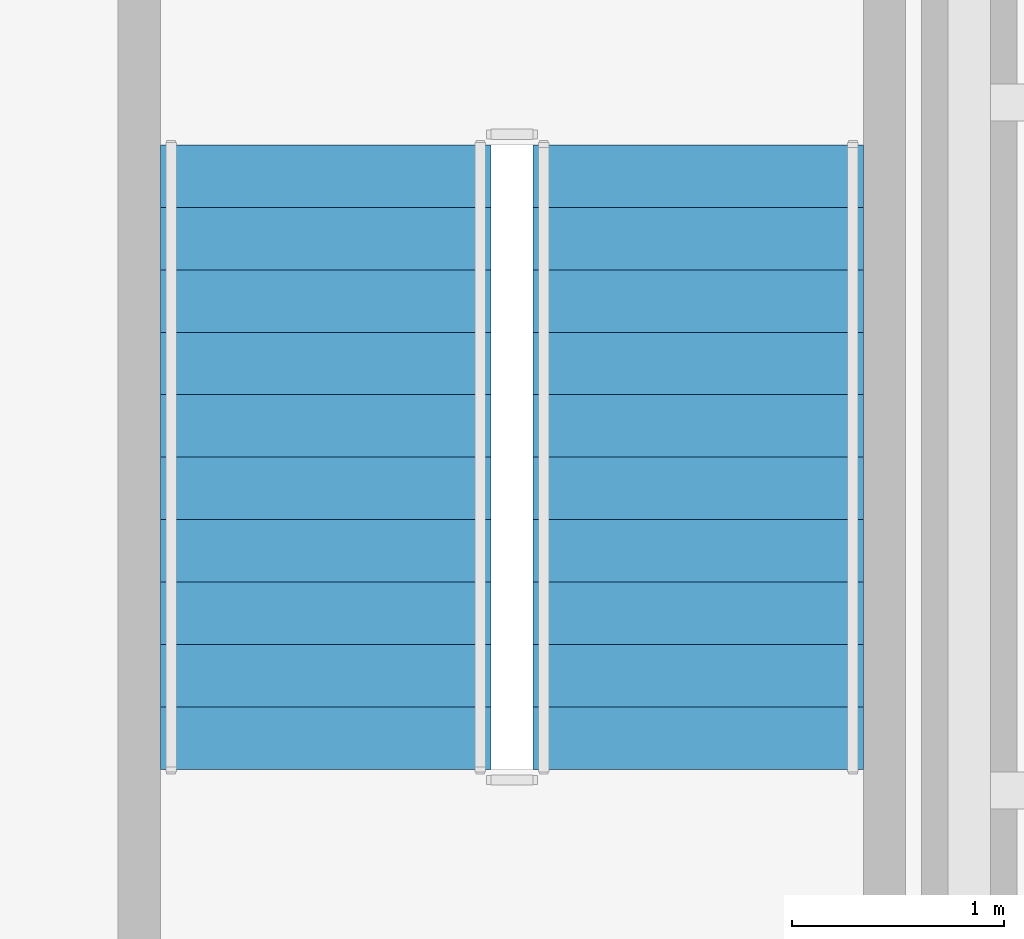
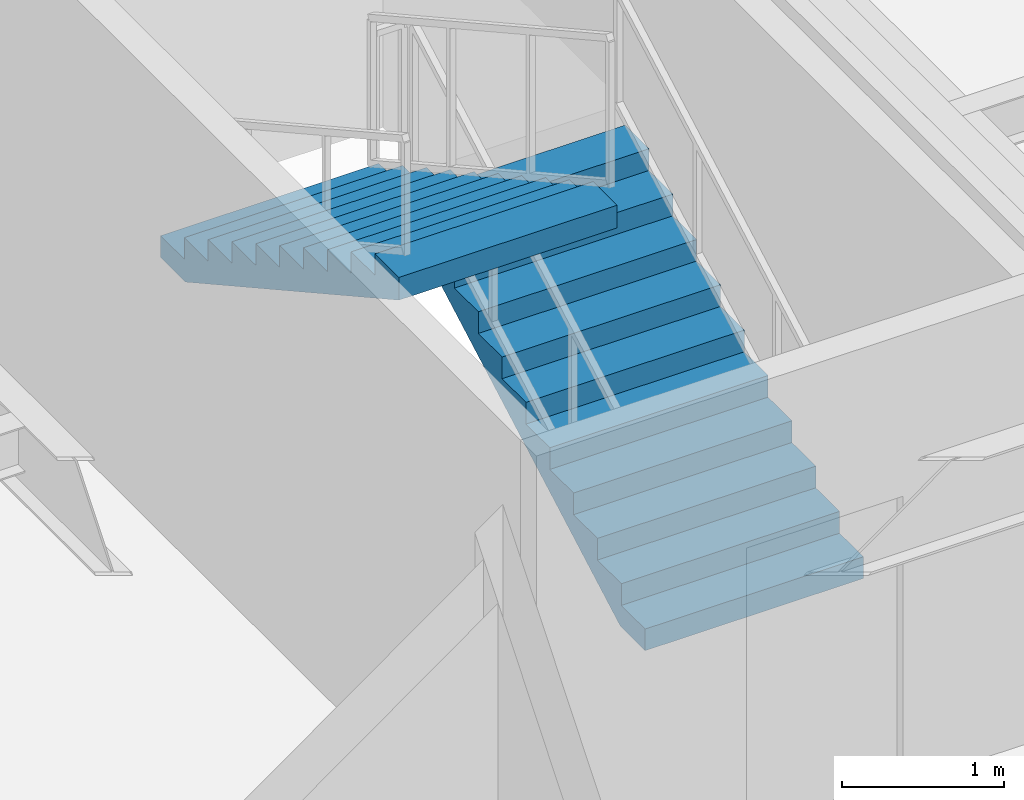
# One storey, part 25 of 27: 2 stair flights, 1 element without a shape of its own.
"""IFC4 building model written with IfcOpenShell, lengths in metres."""

from ifc_helpers import new_model, si_unit, direction, frame, origin, place, context, subcontext, project, spatial, polyline, outline, extrude, material, type_object, element, aggregate, save


model = new_model("IFC4")

# Units and contexts
model_context = context("Model", 3, precision=1e-05, world=origin(), true_north=direction((0.0, 1.0)))
body_context = subcontext(model_context, "Body", "Model", "MODEL_VIEW")
ifc_project = project(units=[si_unit("LENGTHUNIT", "METRE"), si_unit("AREAUNIT", "SQUARE_METRE"), si_unit("VOLUMEUNIT", "CUBIC_METRE"), si_unit("PLANEANGLEUNIT", "RADIAN"), si_unit("MASSUNIT", "GRAM", prefix="KILO")], contexts=[model_context])

# Site, building, storey
site_placement = place(None, origin())
site = spatial("IfcSite", under=ifc_project, at=site_placement, CompositionType="ELEMENT")
building_placement = place(site_placement, origin())
building = spatial("IfcBuilding", under=site, at=building_placement, Name="Brelmoor Portico Tower", CompositionType="ELEMENT")
storey_placement = place(building_placement, frame((0.0, 0.0, 258.0)))
storey = spatial("IfcBuildingStorey", under=building, at=storey_placement, Name="L68", CompositionType="ELEMENT", Elevation=258.0)

# Stair, stair flights
ifc_material = material(Name="Concrete C40", Category="concrete")
stair_type = type_object("IfcStairType", Name="ST-CORE-E", PredefinedType="HALF_TURN_STAIR", material=ifc_material)
stair_placement = place(storey_placement, origin())
stair = element("IfcStair", 1, at=stair_placement, inside=storey, type_object=stair_type, Name="L68 Protected Core Exit Stair ST-E", PredefinedType="HALF_TURN_STAIR")
stair_flight_type = type_object("IfcStairFlightType", Name="SF-CORE-1850", PredefinedType="STRAIGHT", material=ifc_material)
stair_flight_1_placement = place(storey_placement, frame((13.27001953125, 3.35009765625, 0.0), z_axis=(0.0, 0.0, 1.0), x_axis=(0.0, 1.0, 0.0)))
stair_flight_1 = element("IfcStairFlight", 2, at=stair_flight_1_placement, type_object=stair_flight_type, Name="ST-E flight 1", NumberOfRisers=11, NumberOfTreads=10, PredefinedType="STRAIGHT", RiserHeight=0.163636364, TreadLength=0.295, context=body_context, shape_type="SweptSolid", body=[
    extrude(outline(polyline([(0.0, 0.0), (0.0, 0.16357421875), (0.294921875, 0.16357421875), (0.294921875, 0.327392578125), (0.590087890625, 0.327392578125), (0.590087890625, 0.490966796875), (0.885009765625, 0.490966796875), (0.885009765625, 0.654541015625), (1.179931640625, 0.654541015625), (1.179931640625, 0.818115234375), (1.47509765625, 0.818115234375), (1.47509765625, 0.98193359375), (1.77001953125, 0.98193359375), (1.77001953125, 1.1455078125), (2.06494140625, 1.1455078125), (2.06494140625, 1.30908203125), (2.360107421875, 1.30908203125), (2.360107421875, 1.47265625), (2.655029296875, 1.47265625), (2.655029296875, 1.636474609375), (2.949951171875, 1.636474609375), (2.949951171875, 1.800048828125), (2.949951171875, 1.46484375), (0.30908203125, 0.0), (0.0, 0.0)])), frame((0.0, 0.780029296875, 0.0), z_axis=(0.0, -1.0, 0.0), x_axis=(1.0, 0.0, 0.0)), (0.0, 0.0, 1.0), 1.56005859375),
])
stair_flight_2_placement = place(storey_placement, frame((11.510009765625, 6.300048828125, 1.800048828125), z_axis=(0.0, 0.0, 1.0), x_axis=(0.0, -1.0, 0.0)))
stair_flight_2 = element("IfcStairFlight", 3, at=stair_flight_2_placement, type_object=stair_flight_type, Name="ST-E flight 2", NumberOfRisers=11, NumberOfTreads=10, PredefinedType="STRAIGHT", RiserHeight=0.163636364, TreadLength=0.295, context=body_context, shape_type="SweptSolid", body=[
    extrude(outline(polyline([(0.0, 0.0), (0.0, 0.16357421875), (0.294921875, 0.16357421875), (0.294921875, 0.327392578125), (0.590087890625, 0.327392578125), (0.590087890625, 0.490966796875), (0.885009765625, 0.490966796875), (0.885009765625, 0.654541015625), (1.179931640625, 0.654541015625), (1.179931640625, 0.818115234375), (1.47509765625, 0.818115234375), (1.47509765625, 0.98193359375), (1.77001953125, 0.98193359375), (1.77001953125, 1.1455078125), (2.06494140625, 1.1455078125), (2.06494140625, 1.30908203125), (2.360107421875, 1.30908203125), (2.360107421875, 1.47265625), (2.655029296875, 1.47265625), (2.655029296875, 1.636474609375), (2.949951171875, 1.636474609375), (2.949951171875, 1.800048828125), (2.949951171875, 1.46484375), (0.30908203125, 0.0), (0.0, 0.0)])), frame((0.0, 0.780029296875, 0.0), z_axis=(0.0, -1.0, 0.0), x_axis=(1.0, 0.0, 0.0)), (0.0, 0.0, 1.0), 1.56005859375),
])
aggregate(stair, [stair_flight_1, stair_flight_2])

save(model, "model.ifc")
